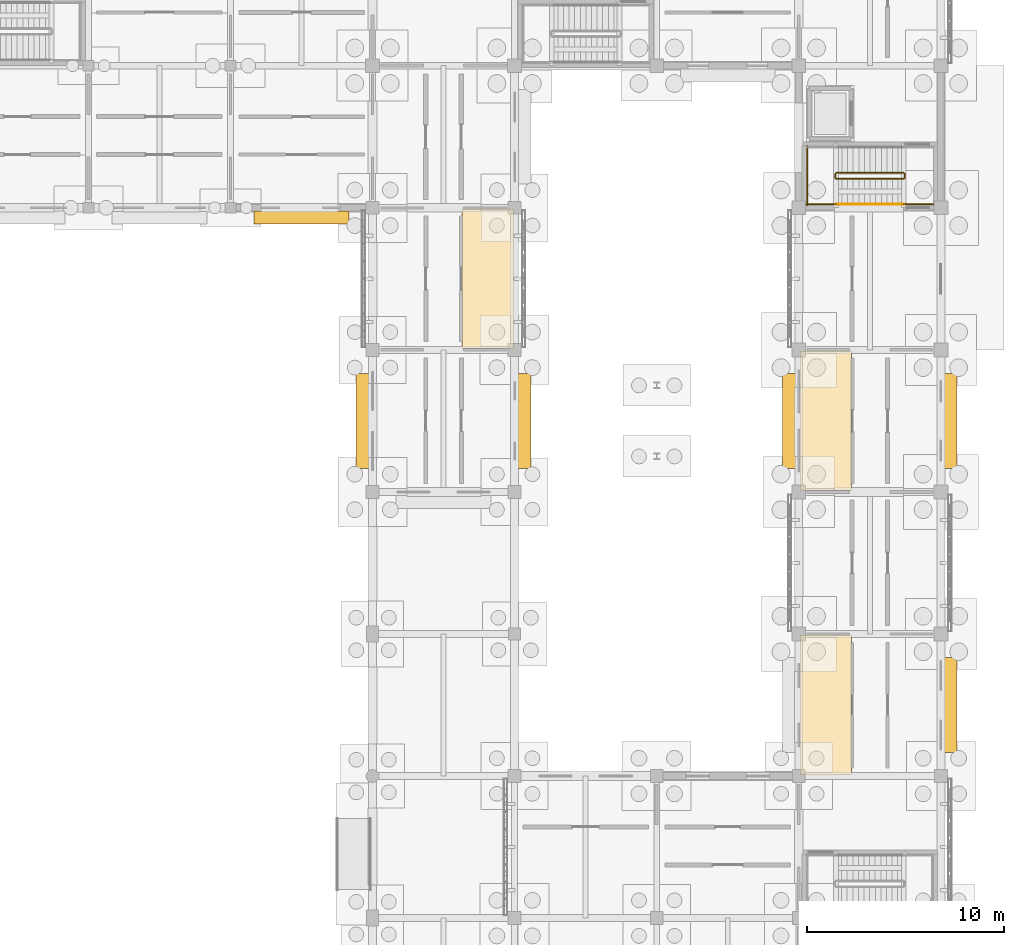
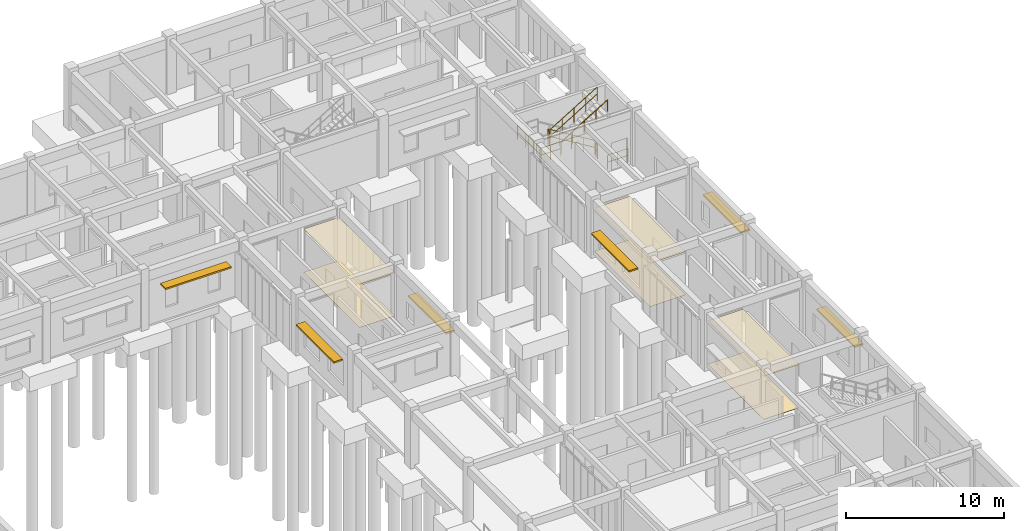
# One storey, part 109 of 111: 8 railings, 6 coverings, 6 shading devices.
"""IFC4 building model written with IfcOpenShell, lengths in metres."""

from ifc_helpers import new_model, si_unit, direction, frame, origin, origin_2d, place, context, subcontext, project, spatial, polyline, rectangle, circle, outline, extrude, material, layer, layer_set, type_object, element, save


model = new_model("IFC4")

# Units and contexts
model_context = context("Model", 3, precision=1e-05, world=origin(), true_north=direction((0.0, 1.0)))
body_context = subcontext(model_context, "Body", "Model", "MODEL_VIEW")
ifc_project = project(units=[si_unit("LENGTHUNIT", "METRE"), si_unit("AREAUNIT", "SQUARE_METRE"), si_unit("VOLUMEUNIT", "CUBIC_METRE"), si_unit("PLANEANGLEUNIT", "RADIAN"), si_unit("MASSUNIT", "GRAM", prefix="KILO")], contexts=[model_context])

# Site, building, storey
site_placement = place(None, origin())
site = spatial("IfcSite", under=ifc_project, at=site_placement, CompositionType="ELEMENT")
building_placement = place(site_placement, origin())
building = spatial("IfcBuilding", under=site, at=building_placement, Name="Aldebral Square Health Centre", CompositionType="ELEMENT")
storey_placement = place(building_placement, origin())
storey = spatial("IfcBuildingStorey", under=building, at=storey_placement, Name="L00", CompositionType="ELEMENT", Elevation=0.0)

# Coverings
ifc_material_1 = material(Name="Hygienic acoustic mineral ceiling tile")
ifc_layer_1 = layer(ifc_material_1, 0.02001953125, Name="Hygienic acoustic mineral ceiling tile")
ifc_layer_set_1 = layer_set([ifc_layer_1], Name="Hygienic acoustic mineral ceiling tile")
covering_type_1 = type_object("IfcCoveringType", Name="COV-CLG-AC", PredefinedType="CEILING", material=ifc_layer_set_1)
covering_1_placement = place(storey_placement, frame((0.0, 0.0, 3.340087890625)))
element("IfcCovering", 1, at=covering_1_placement, inside=storey, type_object=covering_type_1, Name="L00 Maternal-Child Clinic 20.13E acoustic ceiling", PredefinedType="CEILING", context=body_context, shape_type="SweptSolid", body=[
    extrude(outline(polyline([(141.340087890625, 86.4599609375), (143.93994140625, 86.4599609375), (143.93994140625, 93.5400390625), (141.340087890625, 93.5400390625), (141.340087890625, 86.4599609375)])), origin(), (0.0, 0.0, 1.0), 0.02001953125),
])
covering_2_placement = place(storey_placement, frame((0.0, 0.0, 3.340087890625)))
element("IfcCovering", 2, at=covering_2_placement, inside=storey, type_object=covering_type_1, Name="L00 Maternal-Child Clinic 23.10W acoustic ceiling", PredefinedType="CEILING", context=body_context, shape_type="SweptSolid", body=[
    extrude(outline(polyline([(158.4599609375, 64.860107421875), (161.06005859375, 64.860107421875), (161.06005859375, 71.93994140625), (158.4599609375, 71.93994140625), (158.4599609375, 64.860107421875)])), origin(), (0.0, 0.0, 1.0), 0.02001953125),
])
covering_3_placement = place(storey_placement, frame((0.0, 0.0, 3.340087890625)))
element("IfcCovering", 3, at=covering_3_placement, inside=storey, type_object=covering_type_1, Name="L00 Medical Records Archive 23.12W acoustic ceiling", PredefinedType="CEILING", context=body_context, shape_type="SweptSolid", body=[
    extrude(outline(polyline([(158.4599609375, 79.260009765625), (161.06005859375, 79.260009765625), (161.06005859375, 86.340087890625), (158.4599609375, 86.340087890625), (158.4599609375, 79.260009765625)])), origin(), (0.0, 0.0, 1.0), 0.02001953125),
])
ifc_material_2 = material(Name="Antimicrobial clinical vinyl flooring")
ifc_layer_2 = layer(ifc_material_2, 0.014892578125, Name="Antimicrobial clinical vinyl flooring")
ifc_layer_set_2 = layer_set([ifc_layer_2], Name="Antimicrobial clinical vinyl flooring")
covering_type_2 = type_object("IfcCoveringType", Name="COV-FLR-VN", PredefinedType="FLOORING", material=ifc_layer_set_2)
covering_4_placement = place(storey_placement, origin())
element("IfcCovering", 4, at=covering_4_placement, inside=storey, type_object=covering_type_2, Name="L00 Maternal-Child Clinic 20.13E clinical flooring", PredefinedType="FLOORING", context=body_context, shape_type="SweptSolid", body=[
    extrude(outline(polyline([(141.340087890625, 86.4599609375), (143.93994140625, 86.4599609375), (143.93994140625, 93.5400390625), (141.340087890625, 93.5400390625), (141.340087890625, 86.4599609375)])), origin(), (0.0, 0.0, 1.0), 0.014892578125),
])
covering_5_placement = place(storey_placement, origin())
element("IfcCovering", 5, at=covering_5_placement, inside=storey, type_object=covering_type_2, Name="L00 Maternal-Child Clinic 23.10W clinical flooring", PredefinedType="FLOORING", context=body_context, shape_type="SweptSolid", body=[
    extrude(outline(polyline([(158.4599609375, 64.860107421875), (161.06005859375, 64.860107421875), (161.06005859375, 71.93994140625), (158.4599609375, 71.93994140625), (158.4599609375, 64.860107421875)])), origin(), (0.0, 0.0, 1.0), 0.014892578125),
])
covering_6_placement = place(storey_placement, origin())
element("IfcCovering", 6, at=covering_6_placement, inside=storey, type_object=covering_type_2, Name="L00 Medical Records Archive 23.12W clinical flooring", PredefinedType="FLOORING", context=body_context, shape_type="SweptSolid", body=[
    extrude(outline(polyline([(158.4599609375, 79.260009765625), (161.06005859375, 79.260009765625), (161.06005859375, 86.340087890625), (158.4599609375, 86.340087890625), (158.4599609375, 79.260009765625)])), origin(), (0.0, 0.0, 1.0), 0.014892578125),
])

# Railings
ifc_material_3 = material(Name="Painted steel S355JR stair guard", Category="steel")
railing_type_1 = type_object("IfcRailingType", Name="RL-ST-GRD", PredefinedType="GUARDRAIL", material=ifc_material_3)
railing_1_placement = place(storey_placement, frame((163.719970703125, 95.3701171875, 0.173095703125)))
element("IfcRailing", 7, at=railing_1_placement, inside=storey, type_object=railing_type_1, Name="L00 ST-03 stair guard 1", PredefinedType="GUARDRAIL", context=body_context, shape_type="SweptSolid", body=[
    extrude(circle(Radius=0.02392578125, at=origin_2d()), frame((0.0, 0.0, 1.09619140625), z_axis=(-0.854729506542, 0.0, 0.519073665916), x_axis=(0.0, -1.0, 0.0)), (0.0, 0.0, 1.0), 4.001220703125),
    extrude(circle(Radius=0.02392578125, at=origin_2d()), frame((0.0, 0.0, 0.56005859375), z_axis=(-0.854729506542, 0.0, 0.519073665916), x_axis=(0.0, -1.0, 0.0)), (0.0, 0.0, 1.0), 4.001220703125),
    extrude(circle(Radius=0.02099609375, at=origin_2d()), origin(), (0.0, 0.0, 1.0), 1.072021484375),
    extrude(circle(Radius=0.02099609375, at=origin_2d()), frame((-0.85498046875, 0.0, 0.519287109375)), (0.0, 0.0, 1.0), 1.072021484375),
    extrude(circle(Radius=0.02099609375, at=origin_2d()), frame((-1.7099609375, 0.0, 1.03857421875)), (0.0, 0.0, 1.0), 1.072021484375),
    extrude(circle(Radius=0.02099609375, at=origin_2d()), frame((-2.56494140625, 0.0, 1.5576171875)), (0.0, 0.0, 1.0), 1.072021484375),
    extrude(circle(Radius=0.02099609375, at=origin_2d()), frame((-3.419921875, 0.0, 2.076904296875)), (0.0, 0.0, 1.0), 1.072021484375),
])
railing_2_placement = place(storey_placement, frame((160.25, 95.320068359375, 2.25)))
element("IfcRailing", 8, at=railing_2_placement, inside=storey, type_object=railing_type_1, Name="L00 ST-03 stair guard 2", PredefinedType="GUARDRAIL", context=body_context, shape_type="SweptSolid", body=[
    extrude(circle(Radius=0.02392578125, at=origin_2d()), frame((0.0, 0.0, 1.09619140625), z_axis=(0.0, -1.0, 0.0), x_axis=(1.0, 0.0, 0.0)), (0.0, 0.0, 1.0), 0.199951171875),
    extrude(circle(Radius=0.02392578125, at=origin_2d()), frame((0.0, 0.0, 0.56005859375), z_axis=(0.0, -1.0, 0.0), x_axis=(1.0, 0.0, 0.0)), (0.0, 0.0, 1.0), 0.199951171875),
    extrude(circle(Radius=0.02099609375, at=origin_2d()), origin(), (0.0, 0.0, 1.0), 1.072021484375),
    extrude(circle(Radius=0.02099609375, at=origin_2d()), frame((0.0, -0.199951171875, 0.0)), (0.0, 0.0, 1.0), 1.072021484375),
])
railing_3_placement = place(storey_placement, frame((160.300048828125, 93.77001953125, 2.25)))
element("IfcRailing", 9, at=railing_3_placement, inside=storey, type_object=railing_type_1, Name="L00 ST-03 stair guard 4", PredefinedType="GUARDRAIL", context=body_context, shape_type="SweptSolid", body=[
    extrude(circle(Radius=0.02392578125, at=origin_2d()), frame((0.0, 0.0, 1.09619140625), z_axis=(-1.0, 0.0, 0.0), x_axis=(0.0, -1.0, 0.0)), (0.0, 0.0, 1.0), 1.52001953125),
    extrude(circle(Radius=0.02392578125, at=origin_2d()), frame((0.0, 0.0, 0.56005859375), z_axis=(-1.0, 0.0, 0.0), x_axis=(0.0, -1.0, 0.0)), (0.0, 0.0, 1.0), 1.52001953125),
    extrude(circle(Radius=0.02099609375, at=origin_2d()), origin(), (0.0, 0.0, 1.0), 1.072021484375),
    extrude(circle(Radius=0.02099609375, at=origin_2d()), frame((-0.760009765625, 0.0, 0.0)), (0.0, 0.0, 1.0), 1.072021484375),
    extrude(circle(Radius=0.02099609375, at=origin_2d()), frame((-1.52001953125, 0.0, 0.0)), (0.0, 0.0, 1.0), 1.072021484375),
])
railing_4_placement = place(storey_placement, frame((158.830078125, 96.719970703125, 2.25)))
element("IfcRailing", 10, at=railing_4_placement, inside=storey, type_object=railing_type_1, Name="L00 ST-03 stair guard 5", PredefinedType="GUARDRAIL", context=body_context, shape_type="SweptSolid", body=[
    extrude(circle(Radius=0.02392578125, at=origin_2d()), frame((0.0, 0.0, 1.09619140625), z_axis=(0.0, -1.0, 0.0), x_axis=(1.0, 0.0, 0.0)), (0.0, 0.0, 1.0), 3.0),
    extrude(circle(Radius=0.02392578125, at=origin_2d()), frame((0.0, 0.0, 0.56005859375), z_axis=(0.0, -1.0, 0.0), x_axis=(1.0, 0.0, 0.0)), (0.0, 0.0, 1.0), 3.0),
    extrude(circle(Radius=0.02099609375, at=origin_2d()), origin(), (0.0, 0.0, 1.0), 1.072021484375),
    extrude(circle(Radius=0.02099609375, at=origin_2d()), frame((0.0, -1.0, 0.0)), (0.0, 0.0, 1.0), 1.072021484375),
    extrude(circle(Radius=0.02099609375, at=origin_2d()), frame((0.0, -2.0, 0.0)), (0.0, 0.0, 1.0), 1.072021484375),
    extrude(circle(Radius=0.02099609375, at=origin_2d()), frame((0.0, -3.0, 0.0)), (0.0, 0.0, 1.0), 1.072021484375),
])
railing_5_placement = place(storey_placement, frame((160.300048828125, 95.070068359375, 2.423095703125)))
element("IfcRailing", 11, at=railing_5_placement, inside=storey, type_object=railing_type_1, Name="L00 ST-03 stair guard 6", PredefinedType="GUARDRAIL", context=body_context, shape_type="SweptSolid", body=[
    extrude(circle(Radius=0.02392578125, at=origin_2d()), frame((0.0, 0.0, 1.09619140625), z_axis=(0.854729506542, 0.0, 0.519073665916), x_axis=(0.0, 1.0, 0.0)), (0.0, 0.0, 1.0), 4.001220703125),
    extrude(circle(Radius=0.02392578125, at=origin_2d()), frame((0.0, 0.0, 0.56005859375), z_axis=(0.854729506542, 0.0, 0.519073665916), x_axis=(0.0, 1.0, 0.0)), (0.0, 0.0, 1.0), 4.001220703125),
    extrude(circle(Radius=0.02099609375, at=origin_2d()), origin(), (0.0, 0.0, 1.0), 1.072021484375),
    extrude(circle(Radius=0.02099609375, at=origin_2d()), frame((0.85498046875, 0.0, 0.519287109375)), (0.0, 0.0, 1.0), 1.072021484375),
    extrude(circle(Radius=0.02099609375, at=origin_2d()), frame((1.7099609375, 0.0, 1.03857421875)), (0.0, 0.0, 1.0), 1.072021484375),
    extrude(circle(Radius=0.02099609375, at=origin_2d()), frame((2.56494140625, 0.0, 1.5576171875)), (0.0, 0.0, 1.0), 1.072021484375),
    extrude(circle(Radius=0.02099609375, at=origin_2d()), frame((3.419921875, 0.0, 2.076904296875)), (0.0, 0.0, 1.0), 1.072021484375),
])
railing_6_placement = place(storey_placement, frame((163.77001953125, 95.320068359375, 0.0)))
element("IfcRailing", 12, at=railing_6_placement, inside=storey, type_object=railing_type_1, Name="L00 ST-03 stair guard 7", PredefinedType="GUARDRAIL", context=body_context, shape_type="SweptSolid", body=[
    extrude(circle(Radius=0.02392578125, at=origin_2d()), frame((0.0, 0.0, 1.09619140625), z_axis=(0.0, -1.0, 0.0), x_axis=(1.0, 0.0, 0.0)), (0.0, 0.0, 1.0), 0.199951171875),
    extrude(circle(Radius=0.02392578125, at=origin_2d()), frame((0.0, 0.0, 0.56005859375), z_axis=(0.0, -1.0, 0.0), x_axis=(1.0, 0.0, 0.0)), (0.0, 0.0, 1.0), 0.199951171875),
    extrude(circle(Radius=0.02099609375, at=origin_2d()), origin(), (0.0, 0.0, 1.0), 1.072021484375),
    extrude(circle(Radius=0.02099609375, at=origin_2d()), frame((0.0, -0.199951171875, 0.0)), (0.0, 0.0, 1.0), 1.072021484375),
])
railing_7_placement = place(storey_placement, frame((165.219970703125, 93.77001953125, 0.0)))
element("IfcRailing", 13, at=railing_7_placement, inside=storey, type_object=railing_type_1, Name="L00 ST-03 stair guard 9", PredefinedType="GUARDRAIL", context=body_context, shape_type="SweptSolid", body=[
    extrude(circle(Radius=0.02392578125, at=origin_2d()), frame((0.0, 0.0, 1.09619140625), z_axis=(-1.0, 0.0, 0.0), x_axis=(0.0, -1.0, 0.0)), (0.0, 0.0, 1.0), 1.5),
    extrude(circle(Radius=0.02392578125, at=origin_2d()), frame((0.0, 0.0, 0.56005859375), z_axis=(-1.0, 0.0, 0.0), x_axis=(0.0, -1.0, 0.0)), (0.0, 0.0, 1.0), 1.5),
    extrude(circle(Radius=0.02099609375, at=origin_2d()), origin(), (0.0, 0.0, 1.0), 1.072021484375),
    extrude(circle(Radius=0.02099609375, at=origin_2d()), frame((-0.75, 0.0, 0.0)), (0.0, 0.0, 1.0), 1.072021484375),
    extrude(circle(Radius=0.02099609375, at=origin_2d()), frame((-1.5, 0.0, 0.0)), (0.0, 0.0, 1.0), 1.072021484375),
])
ifc_material_4 = material(Name="Brushed stainless steel handrail", Category="steel")
railing_type_2 = type_object("IfcRailingType", Name="RL-ST-HND", PredefinedType="HANDRAIL", material=ifc_material_4)
railing_8_placement = place(storey_placement, frame((160.300048828125, 93.77001953125, 2.423095703125)))
element("IfcRailing", 14, at=railing_8_placement, inside=storey, type_object=railing_type_2, Name="L00 ST-03 stair handrail 2", PredefinedType="HANDRAIL", context=body_context, shape_type="SweptSolid", body=[
    extrude(circle(Radius=0.02392578125, at=origin_2d()), frame((0.0, 0.0, 0.8759765625), z_axis=(0.854729506542, 0.0, 0.519073665916), x_axis=(0.0, 1.0, 0.0)), (0.0, 0.0, 1.0), 4.001220703125),
    extrude(circle(Radius=0.02099609375, at=origin_2d()), origin(), (0.0, 0.0, 1.0), 0.851806640625),
    extrude(circle(Radius=0.02099609375, at=origin_2d()), frame((0.85498046875, 0.0, 0.519287109375)), (0.0, 0.0, 1.0), 0.851806640625),
    extrude(circle(Radius=0.02099609375, at=origin_2d()), frame((1.7099609375, 0.0, 1.03857421875)), (0.0, 0.0, 1.0), 0.851806640625),
    extrude(circle(Radius=0.02099609375, at=origin_2d()), frame((2.56494140625, 0.0, 1.5576171875)), (0.0, 0.0, 1.0), 0.851806640625),
    extrude(circle(Radius=0.02099609375, at=origin_2d()), frame((3.419921875, 0.0, 2.076904296875)), (0.0, 0.0, 1.0), 0.851806640625),
])

# Shading devices
ifc_material_5 = material(Name="Sienna-terracotta solar hood", Category="masonry")
shading_device_type = type_object("IfcShadingDeviceType", Name="SHD-LVR-1", PredefinedType="JALOUSIE", material=ifc_material_5)
for number, where, z_axis, x_axis, name in (
    (15, (133.199951171875, 93.10498046875, 2.800048828125), (0.0, 0.0, 1.0), (1.0, 0.0, 0.0), "L00 solar hood L00-V5-18-13-S"),
    (16, (136.294921875, 82.800048828125, 2.800048828125), (0.0, 0.0, 1.0), (0.0, 1.0, 0.0), "L00 solar hood L00-V5-19-11-W"),
    (17, (144.5048828125, 82.800048828125, 2.169921875), (0.0, 0.0, 1.0), (0.0, 1.0, 0.0), "L00 solar hood L00-V5-19-11-E"),
    (18, (166.094970703125, 68.39990234375, 2.300048828125), (0.0, 0.0, 1.0), (0.0, 1.0, 0.0), "L00 solar hood L00-V5-22-09-E"),
    (19, (157.905029296875, 82.800048828125, 2.300048828125), (0.0, 0.0, 1.0), (0.0, 1.0, 0.0), "L00 solar hood L00-V5-22-11-W"),
    (20, (166.094970703125, 82.800048828125, 2.419921875), (0.0, 0.0, 1.0), (0.0, 1.0, 0.0), "L00 solar hood L00-V5-22-11-E"),
):
    element("IfcShadingDevice", number, at=place(storey_placement, frame(where, z_axis=z_axis, x_axis=x_axis)), inside=storey, type_object=shading_device_type, Name=name, PredefinedType="JALOUSIE", context=body_context, shape_type="SweptSolid", body=[
        extrude(rectangle(XDim=4.800048828125, YDim=0.64990234375, at=origin_2d()), origin(), (0.0, 0.0, 1.0), 0.1201171875),
    ])

save(model, "model.ifc")
